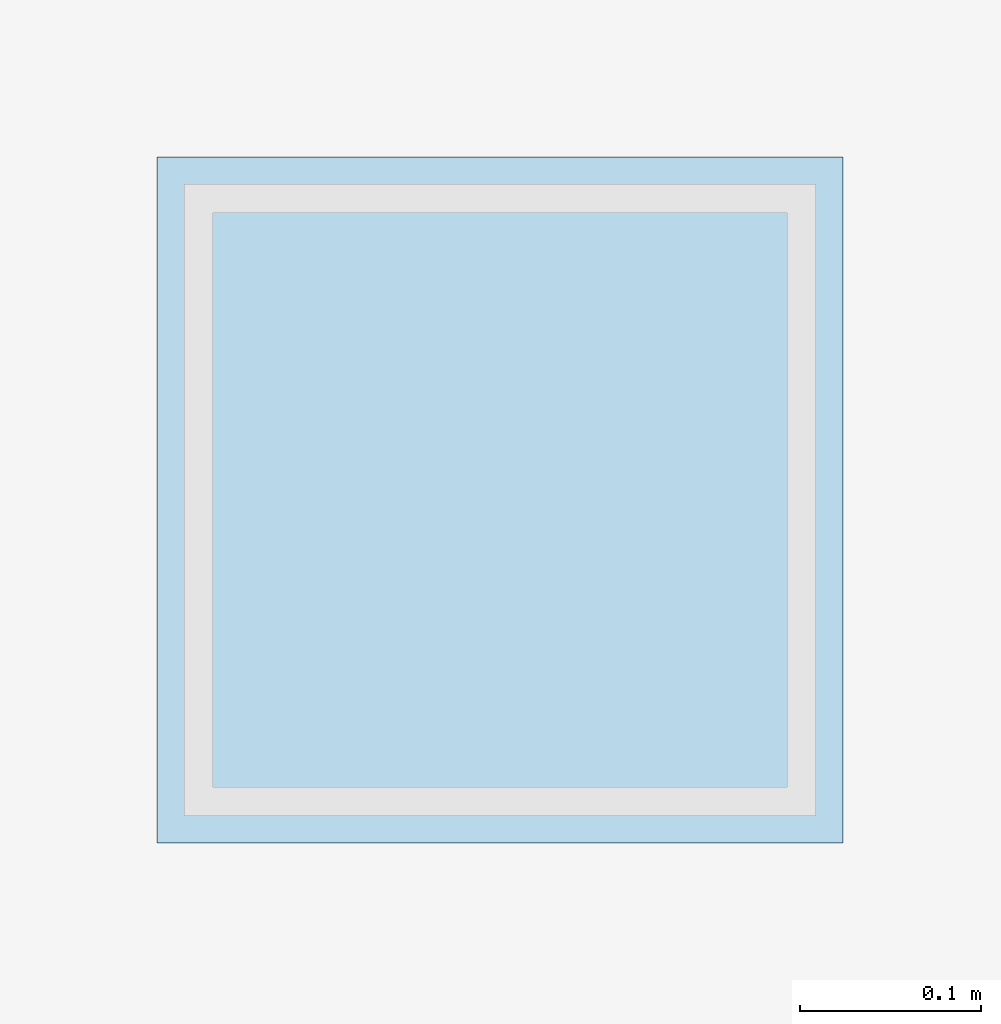
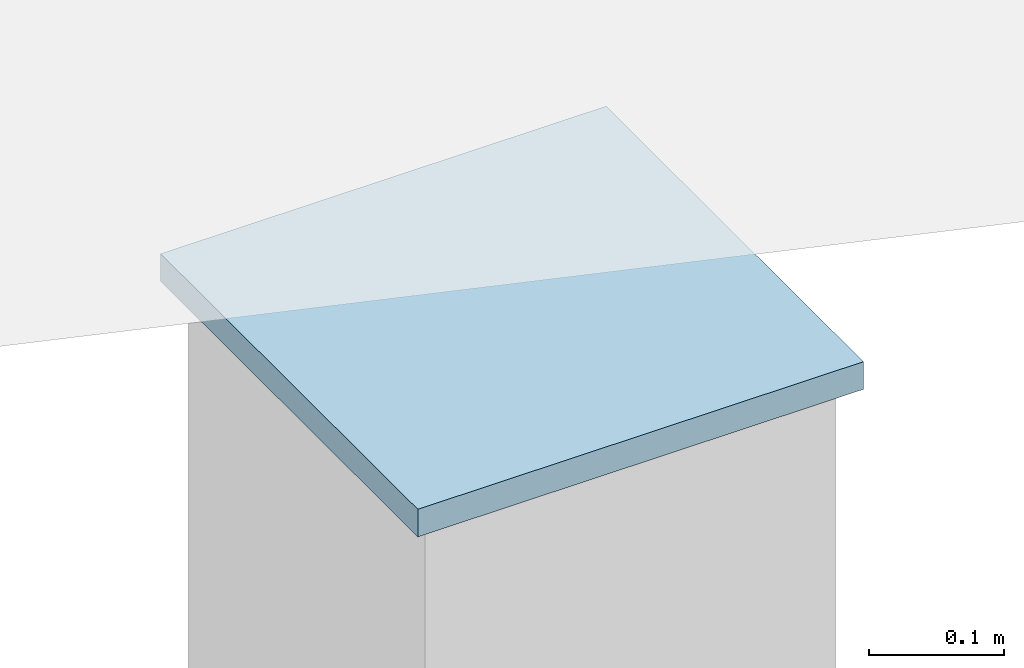
# One storey, part 29 of 49: 1 plate.
"""IFC4 building model written with IfcOpenShell, lengths in metres."""

from ifc_helpers import new_model, si_unit, direction, frame, origin, origin_2d, place, context, subcontext, project, spatial, rectangle, extrude, material, layer, layer_set, type_object, element, save


model = new_model("IFC4")

# Units and contexts
model_context = context("Model", 3, precision=1e-05, world=origin(), true_north=direction((0.0, 1.0)))
body_context = subcontext(model_context, "Body", "Model", "MODEL_VIEW")
ifc_project = project(units=[si_unit("LENGTHUNIT", "METRE"), si_unit("AREAUNIT", "SQUARE_METRE"), si_unit("VOLUMEUNIT", "CUBIC_METRE"), si_unit("PLANEANGLEUNIT", "RADIAN"), si_unit("MASSUNIT", "GRAM", prefix="KILO")], contexts=[model_context])

# Site, building, storey
site_placement = place(None, origin())
site = spatial("IfcSite", under=ifc_project, at=site_placement, CompositionType="ELEMENT")
building_placement = place(site_placement, origin())
building = spatial("IfcBuilding", under=site, at=building_placement, Name="Soyqirgoq Riverine Aquarium", CompositionType="ELEMENT")
storey_placement = place(building_placement, frame((0.0, 0.0, 15.0)))
storey = spatial("IfcBuildingStorey", under=building, at=storey_placement, Name="L04", CompositionType="ELEMENT", Elevation=15.0)

# Plate
ifc_material = material(Name="Structural steel S355", Category="steel")
ifc_layer = layer(ifc_material, 0.02490234375)
ifc_layer_set = layer_set([ifc_layer], Name="Structural steel S355")
plate_type = type_object("IfcPlateType", Name="TubeCapPlate_25_S355", PredefinedType="USERDEFINED", material=ifc_layer_set)
plate_placement = place(storey_placement, frame((122.60009765625, 9.5, 0.58837890625), z_axis=(0.0, 0.0, 1.0), x_axis=(1.0, 0.0, 0.0)))
element("IfcPlate", 1, at=plate_placement, inside=storey, type_object=plate_type, Name="V6 Roof Column W02 Hollow Section Top Cap Plate", ObjectType="FLANGE_PLATE", PredefinedType="USERDEFINED", context=body_context, shape_type="SweptSolid", body=[
    extrude(rectangle(XDim=0.3798828125, YDim=0.3798828125, at=origin_2d()), origin(), (0.0, 0.0, 1.0), 0.02490234375),
])

save(model, "model.ifc")
